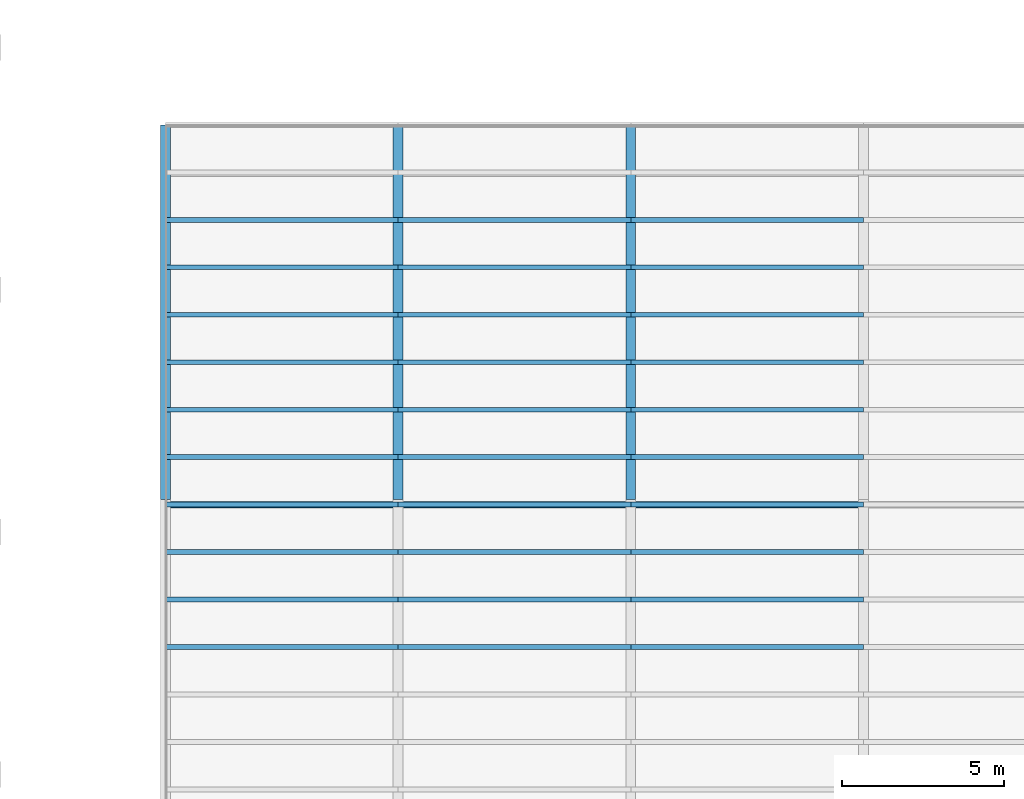
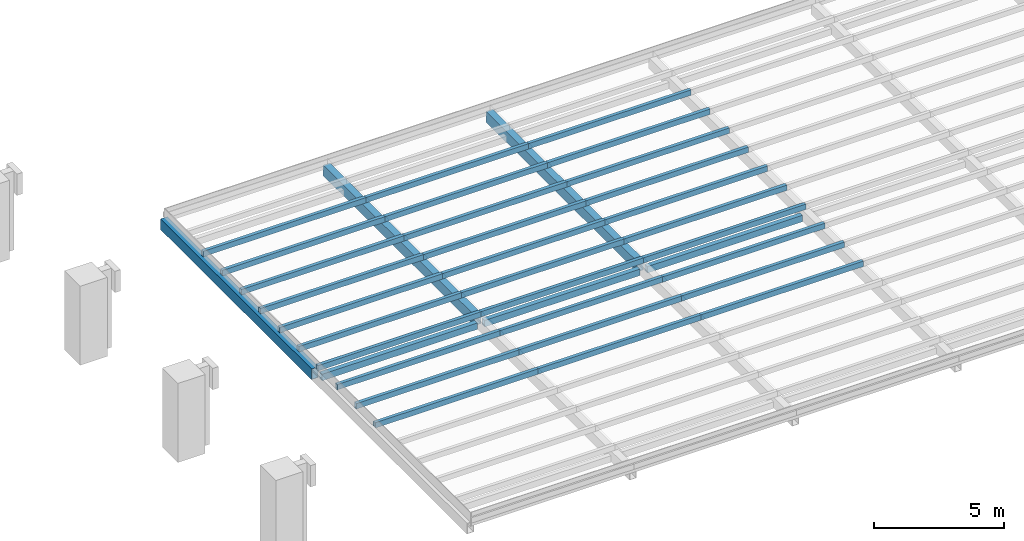
# One storey, part 17 of 67: 30 members, 6 beams.
"""IFC4 building model written with IfcOpenShell, lengths in metres."""

import ifcopenshell
import ifcopenshell.guid

model = None  # the IFC model being written
_history = None  # IfcOwnerHistory: only IFC2X3 demands one
_inside = {}  # id of a spatial element -> (the spatial element, [elements in it])
_under = {}  # id of a project, library or spatial element -> (it, [spatial elements below it])
_declared = {}  # id of a project -> (the project, [libraries it declares])
_typed = {}  # id of a type object -> (the type object, [elements of that type])
_made_of = {}  # id of a material, layer set ... -> (it, [elements and type objects made of it])


def new_model(schema):
    """Start an empty IFC model of exactly this schema.

    Asked for "IFC4X3", IfcOpenShell would pick the latest addendum, in which some entities
    have other attributes; the version numbers below select the first issue.
    IFC2X3 requires an IfcOwnerHistory on every rooted entity: one is made here for all.
    """
    global model, _history
    if schema == "IFC4X3":
        model = ifcopenshell.file(schema_version=(4, 3, 0, 0))
    else:
        model = ifcopenshell.file(schema=schema)
    _inside.clear()
    _under.clear()
    _declared.clear()
    _typed.clear()
    _made_of.clear()
    _history = None
    if model.schema == "IFC2X3":
        org = make("IfcOrganization", Name="unknown")
        user = make(
            "IfcPersonAndOrganization",
            ThePerson=make("IfcPerson", FamilyName="unknown"),
            TheOrganization=org,
        )
        app = make(
            "IfcApplication",
            ApplicationDeveloper=org,
            Version="unknown",
            ApplicationFullName="unknown",
            ApplicationIdentifier="unknown",
        )
        _history = make(
            "IfcOwnerHistory",
            OwningUser=user,
            OwningApplication=app,
            ChangeAction="ADDED",
            CreationDate=0,
        )
    return model


def make(cls, **values):
    """One entity of the class cls with the attributes given. An attribute that is None is left unset."""
    return model.create_entity(
        cls, **{name: value for name, value in values.items() if value is not None}
    )


def rooted(cls, **values):
    """An entity with a GlobalId (a new one), such as an element, a storey or a relation."""
    return make(cls, GlobalId=ifcopenshell.guid.new(), OwnerHistory=_history, **values)


def si_unit(unit_type, name, prefix=None):
    """IfcSIUnit, for example si_unit("LENGTHUNIT", "METRE", prefix="MILLI")."""
    return make("IfcSIUnit", UnitType=unit_type, Prefix=prefix, Name=name)


def assignment(units):
    """IfcUnitAssignment: the units of a project."""
    return None if units is None else make("IfcUnitAssignment", Units=units)


def point(xyz):
    """IfcCartesianPoint."""
    return None if xyz is None else make("IfcCartesianPoint", Coordinates=xyz)


def direction(xyz):
    """IfcDirection."""
    return None if xyz is None else make("IfcDirection", DirectionRatios=xyz)


def frame(location, z_axis=None, x_axis=None):
    """IfcAxis2Placement3D, a coordinate frame: its origin and axes. An axis left out is left unset."""
    return make(
        "IfcAxis2Placement3D",
        Location=point(location),
        Axis=direction(z_axis),
        RefDirection=direction(x_axis),
    )


def frame_2d(location, x_axis=None):
    """IfcAxis2Placement2D, a coordinate frame in the plane: its origin and x axis."""
    return make(
        "IfcAxis2Placement2D", Location=point(location), RefDirection=direction(x_axis)
    )


def origin():
    """The frame at (0, 0, 0) with its axes left unset."""
    return frame((0.0, 0.0, 0.0))


def origin_2d():
    """The frame at (0, 0) in the plane with its x axis left unset."""
    return frame_2d((0.0, 0.0))


def place(relative_to, where):
    """IfcLocalPlacement: puts the frame where relative to a parent placement (None: the world)."""
    return make(
        "IfcLocalPlacement", PlacementRelTo=relative_to, RelativePlacement=where
    )


def context(
    kind, dimensions, precision=None, world=None, true_north=None, identifier=None
):
    """IfcGeometricRepresentationContext, for example the 3D "Model" context."""
    return make(
        "IfcGeometricRepresentationContext",
        ContextIdentifier=identifier,
        ContextType=kind,
        CoordinateSpaceDimension=dimensions,
        Precision=precision,
        WorldCoordinateSystem=world,
        TrueNorth=true_north,
    )


def subcontext(parent, identifier, kind, view, scale=None):
    """IfcGeometricRepresentationSubContext, for example "Body" below "Model"."""
    return make(
        "IfcGeometricRepresentationSubContext",
        ContextIdentifier=identifier,
        ContextType=kind,
        ParentContext=parent,
        TargetScale=scale,
        TargetView=view,
    )


def project(units=None, contexts=None):
    """IfcProject with its units and contexts."""
    return rooted(
        "IfcProject",
        Name="project",
        RepresentationContexts=contexts,
        UnitsInContext=assignment(units),
    )


def spatial(cls, under=None, at=None, **own):
    """A site, building, storey or space (cls), placed at a placement, below another one or the project."""
    s = rooted(cls, ObjectPlacement=at, **own)
    if under is not None:
        _under.setdefault(under.id(), (under, []))[1].append(s)
    return s


def profile(cls, at=None, kind="AREA", **sizes):
    """A parametric profile (cls). Its sizes go by their IFC names, for example OverallWidth=200.0."""
    return make(cls, ProfileType=kind, Position=at, **sizes)


def hollow_rectangle(**sizes):
    """IfcRectangleHollowProfileDef."""
    return profile("IfcRectangleHollowProfileDef", **sizes)


def extrude(swept, where, along, depth):
    """IfcExtrudedAreaSolid: the profile swept, set in the frame where, extruded along a direction by depth."""
    return make(
        "IfcExtrudedAreaSolid",
        SweptArea=swept,
        Position=where,
        ExtrudedDirection=direction(along),
        Depth=depth,
    )


def shape(context_of_items, identifier, shape_type, items):
    """IfcShapeRepresentation: the items that make up one representation, for example the "Body"."""
    return make(
        "IfcShapeRepresentation",
        ContextOfItems=context_of_items,
        RepresentationIdentifier=identifier,
        RepresentationType=shape_type,
        Items=items,
    )


def material(Name=None, Category=None):
    """IfcMaterial."""
    return make("IfcMaterial", Name=Name, Category=Category)


def material_profile(
    of_material, cross_section, Name=None, Category=None, Priority=None
):
    """IfcMaterialProfile: a cross section and its material."""
    return make(
        "IfcMaterialProfile",
        Name=Name,
        Material=of_material,
        Profile=cross_section,
        Priority=Priority,
        Category=Category,
    )


def profile_set(profiles, Name=None, composite=None):
    """IfcMaterialProfileSet."""
    return make(
        "IfcMaterialProfileSet",
        Name=Name,
        MaterialProfiles=profiles,
        CompositeProfile=composite,
    )


def made_of(thing, what):
    """Note that an element or type object is made of a material, layer set ...; save() writes the relation."""
    if what is not None:
        _made_of.setdefault(what.id(), (what, []))[1].append(thing)
    return thing


def type_object(cls, material=None, **own):
    """A type object (cls), such as IfcWallType, which elements share."""
    return made_of(rooted(cls, **own), material)


def element(
    cls,
    number,
    at=None,
    inside=None,
    cuts=None,
    type_object=None,
    material=None,
    context=None,
    identifier="Body",
    shape_type=None,
    held_by="IfcProductDefinitionShape",
    body=None,
    shapes=None,
    **own,
):
    """One element of the class cls, such as IfcWall. Its Tag is "e" and its number.

    at: its placement. inside: the storey or other place that contains it. cuts: it is an
    opening in that element (IfcRelVoidsElement). A single representation is given by context,
    identifier, shape_type and body (its items); several are given by shapes. held_by: the class
    of the entity that holds the representations. save() writes the other relations.
    """
    e = rooted(cls, Tag="e%d" % number, ObjectPlacement=at, **own)
    if body is not None:
        shapes = [shape(context, identifier, shape_type, body)]
    if shapes is not None:
        e.Representation = make(held_by, Representations=shapes)
    if inside is not None:
        _inside.setdefault(inside.id(), (inside, []))[1].append(e)
    if cuts is not None:
        rooted(
            "IfcRelVoidsElement", RelatingBuildingElement=cuts, RelatedOpeningElement=e
        )
    if type_object is not None:
        _typed.setdefault(type_object.id(), (type_object, []))[1].append(e)
    return made_of(e, material)


def aggregate(whole, parts):
    """IfcRelAggregates: a whole, such as a stair, and the parts it consists of."""
    return rooted("IfcRelAggregates", RelatingObject=whole, RelatedObjects=parts)


def save(model, path):
    """Write the relations noted so far, then the file.

    IfcRelAggregates (storeys below a building ...), IfcRelContainedInSpatialStructure (elements
    in a storey), IfcRelDefinesByType, IfcRelAssociatesMaterial and IfcRelDeclares: one each for
    every whole, place, type object, material and project.
    """
    for whole, parts in _under.values():
        aggregate(whole, parts)
    for where, things in _inside.values():
        rooted(
            "IfcRelContainedInSpatialStructure",
            RelatedElements=things,
            RelatingStructure=where,
        )
    for kind, things in _typed.values():
        rooted("IfcRelDefinesByType", RelatedObjects=things, RelatingType=kind)
    for what, things in _made_of.values():
        rooted("IfcRelAssociatesMaterial", RelatedObjects=things, RelatingMaterial=what)
    for by, libraries in _declared.values():
        rooted("IfcRelDeclares", RelatingContext=by, RelatedDefinitions=libraries)
    model.write(path)


model = new_model("IFC4")

# Units and contexts
model_context = context("Model", 3, precision=1e-05, world=origin(), true_north=direction((0.0, 1.0)))
body_context = subcontext(model_context, "Body", "Model", "MODEL_VIEW")
ifc_project = project(units=[si_unit("LENGTHUNIT", "METRE"), si_unit("AREAUNIT", "SQUARE_METRE"), si_unit("VOLUMEUNIT", "CUBIC_METRE"), si_unit("PLANEANGLEUNIT", "RADIAN"), si_unit("MASSUNIT", "GRAM", prefix="KILO")], contexts=[model_context])

# Site, building, storey
site_placement = place(None, origin())
site = spatial("IfcSite", under=ifc_project, at=site_placement, CompositionType="ELEMENT")
building_placement = place(site_placement, origin())
building = spatial("IfcBuilding", under=site, at=building_placement, Name="Cour d'Honneur Mobility Palace", CompositionType="ELEMENT")
storey_placement = place(building_placement, frame((0.0, 0.0, 4.5)))
storey = spatial("IfcBuildingStorey", under=building, at=storey_placement, Name="L01", CompositionType="ELEMENT", Elevation=4.5)

# Beams
ifc_material_1 = material(Name="Steel S355", Category="steel")
ifc_material_profile_1 = material_profile(ifc_material_1, hollow_rectangle(XDim=0.300048828125, YDim=0.5, WallThickness=0.01611328125, at=origin_2d()), Name="RHS 500x300x16")
ifc_profile_set_1 = profile_set([ifc_material_profile_1], Name="Steel S355")
beam_type_1 = type_object("IfcBeamType", Name="Canopy main beam RHS 500x300x16", PredefinedType="BEAM", material=ifc_profile_set_1)
for number, where, z_axis, x_axis, name in (
    (1, (106.300048828125, 100.911865234375, 0.75), (0.0, 1.0, 0.0), (-1.0, 0.0, 0.0), "Canopy main beam FCM-E1.2"),
    (2, (113.5, 100.911865234375, 0.75), (0.0, 1.0, 0.0), (-1.0, 0.0, 0.0), "Canopy main beam FCM-E2.2"),
    (3, (120.699951171875, 100.911865234375, 0.75), (0.0, 1.0, 0.0), (-1.0, 0.0, 0.0), "Canopy main beam FCM-E3.2"),
):
    element("IfcBeam", number, at=place(storey_placement, frame(where, z_axis=z_axis, x_axis=x_axis)), inside=storey, type_object=beam_type_1, Name=name, PredefinedType="BEAM", context=body_context, shape_type="SweptSolid", body=[
        extrude(hollow_rectangle(XDim=0.300048828125, YDim=0.5, WallThickness=0.01611328125, at=origin_2d()), origin(), (0.0, 0.0, 1.0), 11.588134765625),
    ])

# Members
ifc_material_2 = material(Name="Steel S355", Category="steel")
ifc_material_profile_2 = material_profile(ifc_material_2, hollow_rectangle(XDim=0.14990234375, YDim=0.25, WallThickness=0.010009765625, at=origin_2d()), Name="RHS 250x150x10")
ifc_profile_set_2 = profile_set([ifc_material_profile_2], Name="Steel S355")
member_type = type_object("IfcMemberType", Name="Canopy purlin RHS 250x150x10", PredefinedType="PURLIN", material=ifc_profile_set_2)
for number, where, z_axis, x_axis, name in (
    (4, (106.300048828125, 96.34375, 1.125), (1.0, 0.0, 0.0), (0.0, 1.0, 0.0), "Canopy purlin FCP-E6.1"),
    (5, (113.5, 96.34375, 1.125), (1.0, 0.0, 0.0), (0.0, 1.0, 0.0), "Canopy purlin FCP-E6.2"),
    (6, (120.699951171875, 96.34375, 1.125), (1.0, 0.0, 0.0), (0.0, 1.0, 0.0), "Canopy purlin FCP-E6.3"),
    (7, (106.300048828125, 97.8125, 1.125), (1.0, 0.0, 0.0), (0.0, 1.0, 0.0), "Canopy purlin FCP-E7.1"),
    (8, (113.5, 97.8125, 1.125), (1.0, 0.0, 0.0), (0.0, 1.0, 0.0), "Canopy purlin FCP-E7.2"),
    (9, (120.699951171875, 97.8125, 1.125), (1.0, 0.0, 0.0), (0.0, 1.0, 0.0), "Canopy purlin FCP-E7.3"),
    (10, (106.300048828125, 99.28125, 1.125), (1.0, 0.0, 0.0), (0.0, 1.0, 0.0), "Canopy purlin FCP-E8.1"),
    (11, (113.5, 99.28125, 1.125), (1.0, 0.0, 0.0), (0.0, 1.0, 0.0), "Canopy purlin FCP-E8.2"),
    (12, (120.699951171875, 99.28125, 1.125), (1.0, 0.0, 0.0), (0.0, 1.0, 0.0), "Canopy purlin FCP-E8.3"),
    (13, (106.300048828125, 100.75, 1.125), (1.0, 0.0, 0.0), (0.0, 1.0, 0.0), "Canopy purlin FCP-E9.1"),
    (14, (113.5, 100.75, 1.125), (1.0, 0.0, 0.0), (0.0, 1.0, 0.0), "Canopy purlin FCP-E9.2"),
    (15, (120.699951171875, 100.75, 1.125), (1.0, 0.0, 0.0), (0.0, 1.0, 0.0), "Canopy purlin FCP-E9.3"),
    (16, (106.300048828125, 102.21875, 1.125), (1.0, 0.0, 0.0), (0.0, 1.0, 0.0), "Canopy purlin FCP-E10.1"),
    (17, (113.5, 102.21875, 1.125), (1.0, 0.0, 0.0), (0.0, 1.0, 0.0), "Canopy purlin FCP-E10.2"),
    (18, (120.699951171875, 102.21875, 1.125), (1.0, 0.0, 0.0), (0.0, 1.0, 0.0), "Canopy purlin FCP-E10.3"),
    (19, (106.300048828125, 103.6875, 1.125), (1.0, 0.0, 0.0), (0.0, 1.0, 0.0), "Canopy purlin FCP-E11.1"),
    (20, (113.5, 103.6875, 1.125), (1.0, 0.0, 0.0), (0.0, 1.0, 0.0), "Canopy purlin FCP-E11.2"),
    (21, (120.699951171875, 103.6875, 1.125), (1.0, 0.0, 0.0), (0.0, 1.0, 0.0), "Canopy purlin FCP-E11.3"),
    (22, (106.300048828125, 105.15625, 1.125), (1.0, 0.0, 0.0), (0.0, 1.0, 0.0), "Canopy purlin FCP-E12.1"),
    (23, (113.5, 105.15625, 1.125), (1.0, 0.0, 0.0), (0.0, 1.0, 0.0), "Canopy purlin FCP-E12.2"),
    (24, (120.699951171875, 105.15625, 1.125), (1.0, 0.0, 0.0), (0.0, 1.0, 0.0), "Canopy purlin FCP-E12.3"),
    (25, (106.300048828125, 106.625, 1.125), (1.0, 0.0, 0.0), (0.0, 1.0, 0.0), "Canopy purlin FCP-E13.1"),
    (26, (113.5, 106.625, 1.125), (1.0, 0.0, 0.0), (0.0, 1.0, 0.0), "Canopy purlin FCP-E13.2"),
    (27, (120.699951171875, 106.625, 1.125), (1.0, 0.0, 0.0), (0.0, 1.0, 0.0), "Canopy purlin FCP-E13.3"),
    (28, (106.300048828125, 108.09375, 1.125), (1.0, 0.0, 0.0), (0.0, 1.0, 0.0), "Canopy purlin FCP-E14.1"),
    (29, (113.5, 108.09375, 1.125), (1.0, 0.0, 0.0), (0.0, 1.0, 0.0), "Canopy purlin FCP-E14.2"),
    (30, (120.699951171875, 108.09375, 1.125), (1.0, 0.0, 0.0), (0.0, 1.0, 0.0), "Canopy purlin FCP-E14.3"),
    (31, (106.300048828125, 109.5625, 1.125), (1.0, 0.0, 0.0), (0.0, 1.0, 0.0), "Canopy purlin FCP-E15.1"),
    (32, (113.5, 109.5625, 1.125), (1.0, 0.0, 0.0), (0.0, 1.0, 0.0), "Canopy purlin FCP-E15.2"),
    (33, (120.699951171875, 109.5625, 1.125), (1.0, 0.0, 0.0), (0.0, 1.0, 0.0), "Canopy purlin FCP-E15.3"),
):
    element("IfcMember", number, at=place(storey_placement, frame(where, z_axis=z_axis, x_axis=x_axis)), inside=storey, type_object=member_type, Name=name, PredefinedType="PURLIN", context=body_context, shape_type="SweptSolid", body=[
        extrude(hollow_rectangle(XDim=0.14990234375, YDim=0.25, WallThickness=0.010009765625, at=origin_2d()), origin(), (0.0, 0.0, 1.0), 7.199951171875),
    ])

# Beams
ifc_material_3 = material(Name="Steel S355", Category="steel")
ifc_material_profile_3 = material_profile(ifc_material_3, hollow_rectangle(XDim=0.199951171875, YDim=0.300048828125, WallThickness=0.012451171875, at=origin_2d()), Name="RHS 300x200x12.5")
ifc_profile_set_3 = profile_set([ifc_material_profile_3], Name="Steel S355")
beam_type_2 = type_object("IfcBeamType", Name="Canopy tie beam RHS 300x200x12.5", PredefinedType="BEAM", material=ifc_profile_set_3)
for number, where, z_axis, x_axis, name in (
    (34, (106.4619140625, 100.75, 0.64990234375), (1.0, 0.0, 0.0), (0.0, 1.0, 0.0), "Canopy tie beam FCT-E2.1"),
    (35, (113.661865234375, 100.75, 0.64990234375), (1.0, 0.0, 0.0), (0.0, 1.0, 0.0), "Canopy tie beam FCT-E2.2"),
):
    element("IfcBeam", number, at=place(storey_placement, frame(where, z_axis=z_axis, x_axis=x_axis)), inside=storey, type_object=beam_type_2, Name=name, PredefinedType="BEAM", context=body_context, shape_type="SweptSolid", body=[
        extrude(hollow_rectangle(XDim=0.199951171875, YDim=0.300048828125, WallThickness=0.012451171875, at=origin_2d()), origin(), (0.0, 0.0, 1.0), 6.876220703125),
    ])
beam_placement = place(storey_placement, frame((120.862060546875, 100.75, 0.64990234375), z_axis=(1.0, 0.0, 0.0), x_axis=(0.0, 1.0, 0.0)))
element("IfcBeam", 36, at=beam_placement, inside=storey, type_object=beam_type_2, Name="Canopy tie beam FCT-E2.3", PredefinedType="BEAM", context=body_context, shape_type="SweptSolid", body=[
    extrude(hollow_rectangle(XDim=0.199951171875, YDim=0.300048828125, WallThickness=0.012451171875, at=origin_2d()), origin(), (0.0, 0.0, 1.0), 6.8759765625),
])

save(model, "model.ifc")
